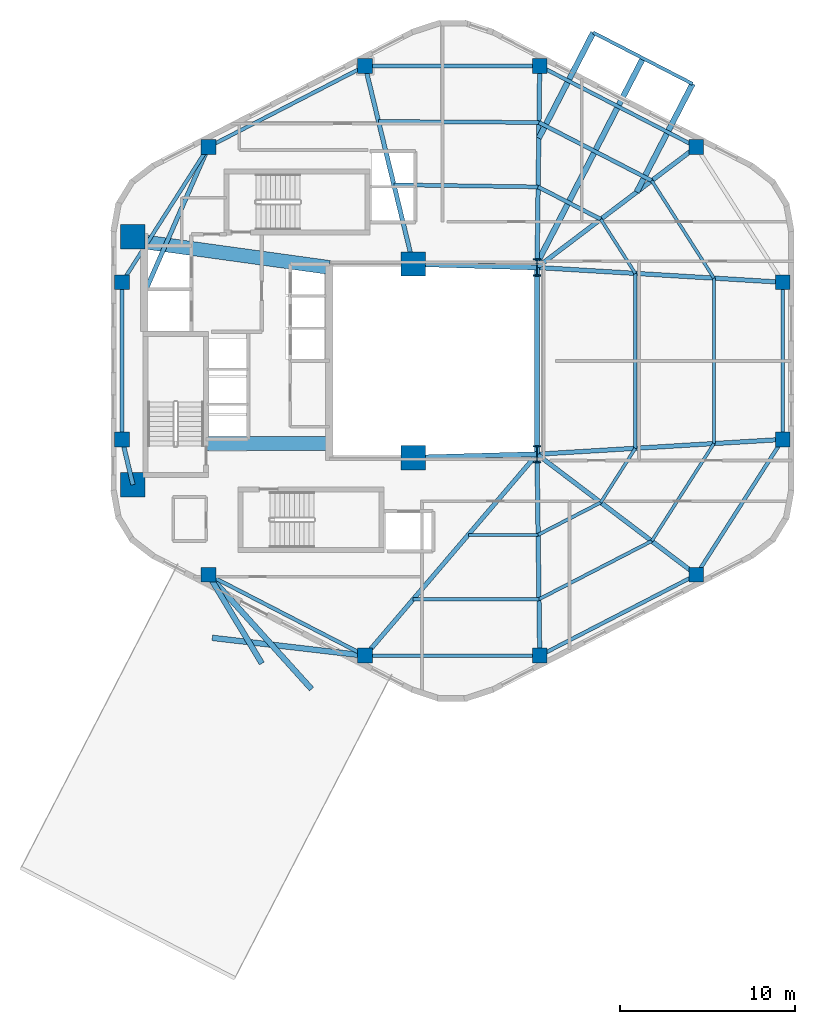
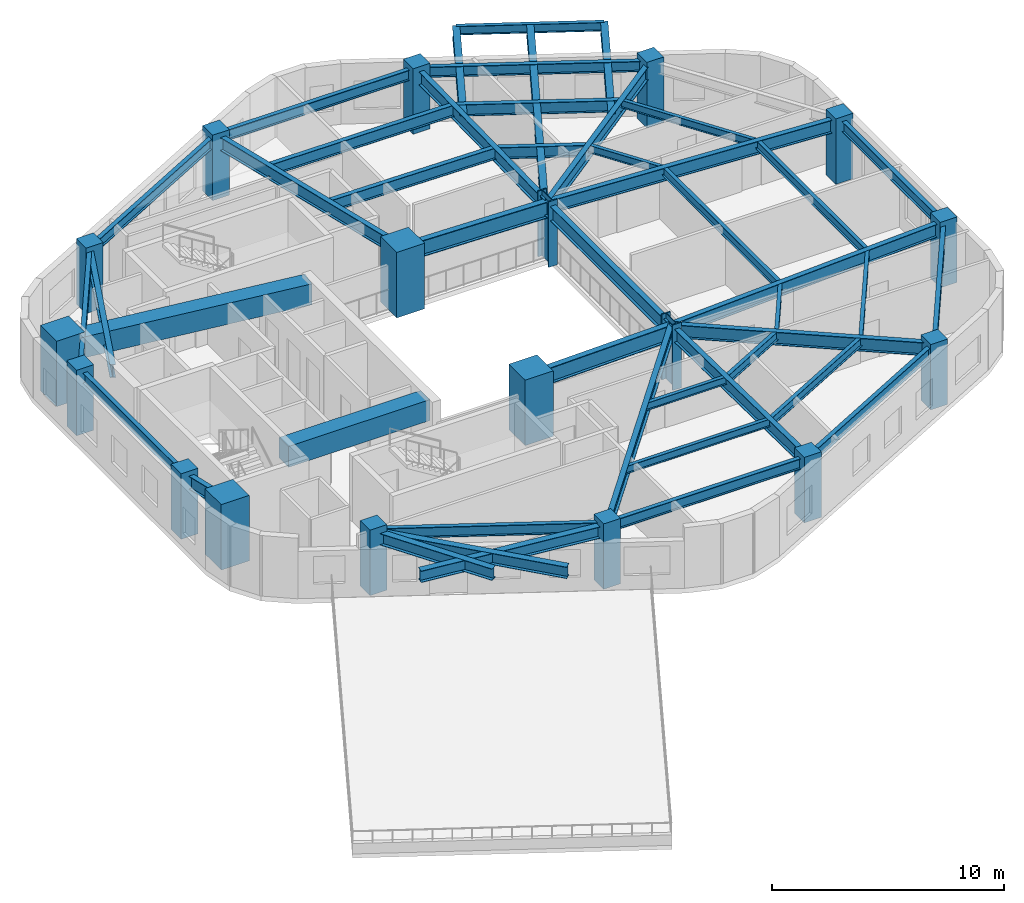
# One storey, part 1 of 7: 46 beams, 18 columns.
"""IFC4 building model written with IfcOpenShell, lengths in metres."""

from ifc_helpers import new_model, si_unit, direction, frame, origin, origin_2d, place, context, subcontext, project, spatial, rectangle, i_section, extrude, material, material_profile, profile_set, type_object, element, save


model = new_model("IFC4")

# Units and contexts
model_context = context("Model", 3, precision=1e-05, world=origin(), true_north=direction((0.0, 1.0)))
body_context = subcontext(model_context, "Body", "Model", "MODEL_VIEW")
ifc_project = project(units=[si_unit("LENGTHUNIT", "METRE"), si_unit("AREAUNIT", "SQUARE_METRE"), si_unit("VOLUMEUNIT", "CUBIC_METRE"), si_unit("PLANEANGLEUNIT", "RADIAN"), si_unit("MASSUNIT", "GRAM", prefix="KILO"), si_unit("THERMODYNAMICTEMPERATUREUNIT", "KELVIN"), si_unit("POWERUNIT", "WATT")], contexts=[model_context])

# Site, building, storey
site_placement = place(None, origin())
site = spatial("IfcSite", under=ifc_project, at=site_placement, CompositionType="ELEMENT")
building_placement = place(site_placement, origin())
building = spatial("IfcBuilding", under=site, at=building_placement, Name="Skarre Station Tower", CompositionType="ELEMENT")
storey_placement = place(building_placement, frame((0.0, 0.0, 184.35009765625)))
storey = spatial("IfcBuildingStorey", under=building, at=storey_placement, Name="L50", CompositionType="ELEMENT", Elevation=184.35009765625)

# Columns
ifc_material_1 = material(Name="Concrete C70/85", Category="concrete")
ifc_material_profile_1 = material_profile(ifc_material_1, rectangle(XDim=1.39990234375, YDim=1.39990234375, at=origin_2d()), Name="Concrete C70/85")
ifc_profile_set_1 = profile_set([ifc_material_profile_1], Name="Concrete C70/85")
column_type_1 = type_object("IfcColumnType", Name="RC Structural Column RC-COL-1400X1400", PredefinedType="COLUMN", material=ifc_profile_set_1)
for number, where, z_axis, x_axis, name in (
    (1, (16.300048828125, 16.89990234375, 0.0), (0.0, 0.0, 1.0), (1.0, 0.0, 0.0), "L50 Core Column CC-SW"),
    (2, (16.300048828125, 31.10009765625, 0.0), (0.0, 0.0, 1.0), (1.0, 0.0, 0.0), "L50 Core Column CC-NW"),
    (3, (32.35009765625, 18.449951171875, 0.0), (0.0, 0.0, 1.0), (1.0, 0.0, 0.0), "L50 Core Column CC-SE"),
    (4, (32.35009765625, 29.550048828125, 0.0), (0.0, 0.0, 1.0), (1.0, 0.0, 0.0), "L50 Core Column CC-NE"),
):
    element("IfcColumn", number, at=place(storey_placement, frame(where, z_axis=z_axis, x_axis=x_axis)), inside=storey, type_object=column_type_1, Name=name, PredefinedType="COLUMN", context=body_context, shape_type="SweptSolid", body=[
        extrude(rectangle(XDim=1.39990234375, YDim=1.39990234375, at=origin_2d()), origin(), (0.0, 0.0, 1.0), 3.449951171875),
    ])
ifc_material_2 = material(Name="Concrete C50/60", Category="concrete")
ifc_material_profile_2 = material_profile(ifc_material_2, rectangle(XDim=0.85009765625, YDim=0.85009765625, at=origin_2d()), Name="Concrete C50/60")
ifc_profile_set_2 = profile_set([ifc_material_profile_2], Name="Concrete C50/60")
column_type_2 = type_object("IfcColumnType", Name="RC Structural Column RC-COL-850X850", PredefinedType="COLUMN", material=ifc_profile_set_2)
for number, where, z_axis, x_axis, name in (
    (5, (48.573974609375, 36.257080078125, 0.0), (0.0, 0.0, 1.0), (1.0, 0.0, 0.0), "L50 Zone 3 Perimeter Column F0C1"),
    (6, (39.60205078125, 40.887939453125, 0.0), (0.0, 0.0, 1.0), (1.0, 0.0, 0.0), "L50 Zone 3 Perimeter Column F0C2"),
    (7, (29.597900390625, 40.887939453125, 0.0), (0.0, 0.0, 1.0), (1.0, 0.0, 0.0), "L50 Zone 3 Perimeter Column F1C1"),
    (8, (20.6259765625, 36.257080078125, 0.0), (0.0, 0.0, 1.0), (1.0, 0.0, 0.0), "L50 Zone 3 Perimeter Column F1C2"),
    (9, (15.677978515625, 28.5009765625, 0.0), (0.0, 0.0, 1.0), (1.0, 0.0, 0.0), "L50 Zone 3 Perimeter Column F2C1"),
    (10, (15.677978515625, 19.4990234375, 0.0), (0.0, 0.0, 1.0), (1.0, 0.0, 0.0), "L50 Zone 3 Perimeter Column F2C2"),
    (11, (20.6259765625, 11.742919921875, 0.0), (0.0, 0.0, 1.0), (1.0, 0.0, 0.0), "L50 Zone 3 Perimeter Column F3C1"),
    (12, (29.597900390625, 7.112060546875, 0.0), (0.0, 0.0, 1.0), (1.0, 0.0, 0.0), "L50 Zone 3 Perimeter Column F3C2"),
    (13, (39.60205078125, 7.112060546875, 0.0), (0.0, 0.0, 1.0), (1.0, 0.0, 0.0), "L50 Zone 3 Perimeter Column F4C1"),
    (14, (48.573974609375, 11.742919921875, 0.0), (0.0, 0.0, 1.0), (1.0, 0.0, 0.0), "L50 Zone 3 Perimeter Column F4C2"),
    (15, (53.52197265625, 19.4990234375, 0.0), (0.0, 0.0, 1.0), (1.0, 0.0, 0.0), "L50 Zone 3 Perimeter Column F5C1"),
    (16, (53.52197265625, 28.5009765625, 0.0), (0.0, 0.0, 1.0), (1.0, 0.0, 0.0), "L50 Zone 3 Perimeter Column F5C2"),
):
    element("IfcColumn", number, at=place(storey_placement, frame(where, z_axis=z_axis, x_axis=x_axis)), inside=storey, type_object=column_type_2, Name=name, PredefinedType="COLUMN", context=body_context, shape_type="SweptSolid", body=[
        extrude(rectangle(XDim=0.85009765625, YDim=0.85009765625, at=origin_2d()), origin(), (0.0, 0.0, 1.0), 3.449951171875),
    ])
ifc_material_3 = material(Name="Steel ASTM A913 Grade 65", Category="steel")
ifc_material_profile_3 = material_profile(ifc_material_3, i_section(OverallWidth=0.430908203125, OverallDepth=0.987060546875, WebThickness=0.033935546875, FlangeThickness=0.06201171875, at=origin_2d()), Name="Steel ASTM A913 Grade 65")
ifc_profile_set_3 = profile_set([ifc_material_profile_3], Name="Steel ASTM A913 Grade 65")
column_type_3 = type_object("IfcColumnType", Name="Steel Column W36X441", PredefinedType="COLUMN", material=ifc_profile_set_3)
for number, where, z_axis, x_axis, name in (
    (17, (39.449951171875, 18.64990234375, 0.0), (0.0, 0.0, 1.0), (1.0, 0.0, 0.0), "L50 Atrium Spine Column AC-SE"),
    (18, (39.449951171875, 29.35009765625, 0.0), (0.0, 0.0, 1.0), (1.0, 0.0, 0.0), "L50 Atrium Spine Column AC-NE"),
):
    element("IfcColumn", number, at=place(storey_placement, frame(where, z_axis=z_axis, x_axis=x_axis)), inside=storey, type_object=column_type_3, Name=name, PredefinedType="COLUMN", context=body_context, shape_type="SweptSolid", body=[
        extrude(i_section(OverallWidth=0.430908203125, OverallDepth=0.987060546875, WebThickness=0.033935546875, FlangeThickness=0.06201171875, at=origin_2d()), origin(), (0.0, 0.0, 1.0), 3.449951171875),
    ])

# Beams
ifc_material_profile_4 = material_profile(ifc_material_1, rectangle(XDim=0.800048828125, YDim=1.10009765625, at=origin_2d()), Name="Concrete C70/85")
ifc_profile_set_4 = profile_set([ifc_material_profile_4], Name="Concrete C70/85")
beam_type_1 = type_object("IfcBeamType", Name="RC Core Coupling Lintel 800x1100", PredefinedType="LINTEL", material=ifc_profile_set_4)
beam_1_placement = place(storey_placement, frame((20.489990234375, 19.260009765625, 2.639892578125), z_axis=(1.0, 0.0, 0.0), x_axis=(0.0, 1.0, 0.0)))
element("IfcBeam", 19, at=beam_1_placement, inside=storey, type_object=beam_type_1, Name="L50 South Core Coupling Lintel", PredefinedType="LINTEL", context=body_context, shape_type="SweptSolid", body=[
    extrude(rectangle(XDim=0.800048828125, YDim=1.10009765625, at=origin_2d()), origin(), (0.0, 0.0, 1.0), 7.06005859375),
])
beam_2_placement = place(storey_placement, frame((17.050048828125, 30.800048828125, 2.639892578125), z_axis=(0.990599723633, -0.136792498109, 0.0), x_axis=(0.136792498109, 0.990599723633, 0.0)))
element("IfcBeam", 20, at=beam_2_placement, inside=storey, type_object=beam_type_1, Name="L50 North Core Coupling Lintel", PredefinedType="LINTEL", context=body_context, shape_type="SweptSolid", body=[
    extrude(rectangle(XDim=0.800048828125, YDim=1.10009765625, at=origin_2d()), origin(), (0.0, 0.0, 1.0), 10.599609375),
])
ifc_material_4 = material(Name="Steel ASTM A992 Grade 50", Category="steel")
ifc_material_profile_5 = material_profile(ifc_material_4, i_section(OverallWidth=0.323974609375, OverallDepth=0.611083984375, WebThickness=0.012939453125, FlangeThickness=0.01904296875, at=origin_2d()), Name="Steel ASTM A992 Grade 50")
ifc_profile_set_5 = profile_set([ifc_material_profile_5], Name="Steel ASTM A992 Grade 50")
beam_type_2 = type_object("IfcBeamType", Name="Steel Beam W24X104", PredefinedType="BEAM", material=ifc_profile_set_5)
beam_3_placement = place(storey_placement, frame((20.6259765625, 11.742919921875, 2.7998046875), z_axis=(0.515954390241, -0.85661605588, 0.0), x_axis=(0.85661605588, 0.515954390241, 0.0)))
element("IfcBeam", 21, at=beam_3_placement, inside=storey, type_object=beam_type_2, Name="L50 TB-L51-F3 Center Outrigger Beam", PredefinedType="BEAM", context=body_context, shape_type="SweptSolid", body=[
    extrude(i_section(OverallWidth=0.323974609375, OverallDepth=0.611083984375, WebThickness=0.012939453125, FlangeThickness=0.01904296875, at=origin_2d()), origin(), (0.0, 0.0, 1.0), 5.928955078125),
])
for number, where, z_axis, x_axis, name in (
    (22, (29.597900390625, 7.112060546875, 2.7998046875), (-0.993282676722, 0.115713111291, 0.0), (-0.115713111291, -0.993282676722, 0.0), "L50 TB-L51-F3 Outrigger Beam 1"),
    (23, (20.6259765625, 11.742919921875, 2.7998046875), (0.669646888614, -0.742679637912, 0.0), (0.742679637912, 0.669646888614, 0.0), "L50 TB-L51-F3 Outrigger Beam 2"),
):
    element("IfcBeam", number, at=place(storey_placement, frame(where, z_axis=z_axis, x_axis=x_axis)), inside=storey, type_object=beam_type_2, Name=name, PredefinedType="BEAM", context=body_context, shape_type="SweptSolid", body=[
        extrude(i_section(OverallWidth=0.323974609375, OverallDepth=0.611083984375, WebThickness=0.012939453125, FlangeThickness=0.01904296875, at=origin_2d()), origin(), (0.0, 0.0, 1.0), 8.815185546875),
    ])
beam_4_placement = place(storey_placement, frame((39.452880859375, 29.592041015625, 2.7998046875), z_axis=(0.458681504424, 0.888600741334, 0.0), x_axis=(-0.888600741334, 0.458681504424, 0.0)))
element("IfcBeam", 24, at=beam_4_placement, inside=storey, type_object=beam_type_2, Name="L50 TB-L51-F0 Center Outrigger Beam", PredefinedType="BEAM", context=body_context, shape_type="SweptSolid", body=[
    extrude(i_section(OverallWidth=0.323974609375, OverallDepth=0.611083984375, WebThickness=0.012939453125, FlangeThickness=0.01904296875, at=origin_2d()), origin(), (0.0, 0.0, 1.0), 13.216064453125),
])
beam_5_placement = place(storey_placement, frame((45.159912109375, 33.673095703125, 2.7998046875), z_axis=(0.45871874065, 0.888581519601, 0.0), x_axis=(-0.888581519601, 0.45871874065, 0.0)))
element("IfcBeam", 25, at=beam_5_placement, inside=storey, type_object=beam_type_2, Name="L50 TB-L51-F0 Outrigger Beam 1", PredefinedType="BEAM", context=body_context, shape_type="SweptSolid", body=[
    extrude(i_section(OverallWidth=0.323974609375, OverallDepth=0.611083984375, WebThickness=0.012939453125, FlangeThickness=0.01904296875, at=origin_2d()), origin(), (0.0, 0.0, 1.0), 6.9716796875),
])
beam_6_placement = place(storey_placement, frame((39.548095703125, 36.7529296875, 2.7998046875), z_axis=(0.458607301184, 0.888639039937, 0.0), x_axis=(-0.888639039937, 0.458607301184, 0.0)))
element("IfcBeam", 26, at=beam_6_placement, inside=storey, type_object=beam_type_2, Name="L50 TB-L51-F0 Outrigger Beam 2", PredefinedType="BEAM", context=body_context, shape_type="SweptSolid", body=[
    extrude(i_section(OverallWidth=0.323974609375, OverallDepth=0.611083984375, WebThickness=0.012939453125, FlangeThickness=0.01904296875, at=origin_2d()), origin(), (0.0, 0.0, 1.0), 6.809326171875),
])
ifc_material_profile_6 = material_profile(ifc_material_4, i_section(OverallWidth=0.256103515625, OverallDepth=0.693115234375, WebThickness=0.013916015625, FlangeThickness=0.02392578125, at=origin_2d()), Name="Steel ASTM A992 Grade 50")
ifc_profile_set_6 = profile_set([ifc_material_profile_6], Name="Steel ASTM A992 Grade 50")
beam_type_3 = type_object("IfcBeamType", Name="Steel Beam W27X114", PredefinedType="BEAM", material=ifc_profile_set_6)
beam_7_placement = place(storey_placement, frame((39.449951171875, 29.35009765625, 2.843994140625), z_axis=(0.797308988117, 0.603571352425, 0.0), x_axis=(-0.603571352425, 0.797308988117, 0.0)))
element("IfcBeam", 27, at=beam_7_placement, inside=storey, type_object=beam_type_3, Name="L50 Radial Floor Girder F0C1", PredefinedType="BEAM", context=body_context, shape_type="SweptSolid", body=[
    extrude(i_section(OverallWidth=0.256103515625, OverallDepth=0.693115234375, WebThickness=0.013916015625, FlangeThickness=0.02392578125, at=origin_2d()), origin(), (0.0, 0.0, 1.0), 11.443603515625),
])
beam_8_placement = place(storey_placement, frame((39.449951171875, 29.35009765625, 2.843994140625), z_axis=(0.013181528887, 0.999913119874, 0.0), x_axis=(-0.999913119874, 0.013181528887, 0.0)))
element("IfcBeam", 28, at=beam_8_placement, inside=storey, type_object=beam_type_3, Name="L50 Radial Floor Girder F0C2", PredefinedType="BEAM", context=body_context, shape_type="SweptSolid", body=[
    extrude(i_section(OverallWidth=0.256103515625, OverallDepth=0.693115234375, WebThickness=0.013916015625, FlangeThickness=0.02392578125, at=origin_2d()), origin(), (0.0, 0.0, 1.0), 11.538818359375),
])
beam_9_placement = place(storey_placement, frame((32.35009765625, 29.550048828125, 2.843994140625), z_axis=(-0.235892880832, 0.971779063765, 0.0), x_axis=(-0.971779063765, -0.235892880832, 0.0)))
element("IfcBeam", 29, at=beam_9_placement, inside=storey, type_object=beam_type_3, Name="L50 Radial Floor Girder F1C1", PredefinedType="BEAM", context=body_context, shape_type="SweptSolid", body=[
    extrude(i_section(OverallWidth=0.256103515625, OverallDepth=0.693115234375, WebThickness=0.013916015625, FlangeThickness=0.02392578125, at=origin_2d()), origin(), (0.0, 0.0, 1.0), 11.667236328125),
])
beam_10_placement = place(storey_placement, frame((17.010009765625, 28.0, 2.843994140625), z_axis=(0.401144174417, 0.916014929644, 0.0), x_axis=(-0.916014929644, 0.401144174417, 0.0)))
element("IfcBeam", 30, at=beam_10_placement, inside=storey, type_object=beam_type_3, Name="L50 Radial Floor Girder F1C2", PredefinedType="BEAM", context=body_context, shape_type="SweptSolid", body=[
    extrude(i_section(OverallWidth=0.256103515625, OverallDepth=0.693115234375, WebThickness=0.013916015625, FlangeThickness=0.02392578125, at=origin_2d()), origin(), (0.0, 0.0, 1.0), 9.01416015625),
])
beam_11_placement = place(storey_placement, frame((16.300048828125, 16.89990234375, 2.843994140625), z_axis=(-0.232764815072, 0.972533053867, 0.0), x_axis=(-0.972533053867, -0.232764815072, 0.0)))
element("IfcBeam", 31, at=beam_11_placement, inside=storey, type_object=beam_type_3, Name="L50 Radial Floor Girder F2C2", PredefinedType="BEAM", context=body_context, shape_type="SweptSolid", body=[
    extrude(i_section(OverallWidth=0.256103515625, OverallDepth=0.693115234375, WebThickness=0.013916015625, FlangeThickness=0.02392578125, at=origin_2d()), origin(), (0.0, 0.0, 1.0), 2.672607421875),
])
beam_12_placement = place(storey_placement, frame((39.449951171875, 18.64990234375, 2.843994140625), z_axis=(-0.649364312169, -0.760477475065, 0.0), x_axis=(0.760477475065, -0.649364312169, 0.0)))
element("IfcBeam", 32, at=beam_12_placement, inside=storey, type_object=beam_type_3, Name="L50 Radial Floor Girder F3C2", PredefinedType="BEAM", context=body_context, shape_type="SweptSolid", body=[
    extrude(i_section(OverallWidth=0.256103515625, OverallDepth=0.693115234375, WebThickness=0.013916015625, FlangeThickness=0.02392578125, at=origin_2d()), origin(), (0.0, 0.0, 1.0), 15.171875),
])
beam_13_placement = place(storey_placement, frame((39.449951171875, 18.64990234375, 2.843994140625), z_axis=(0.013181528887, -0.999913119874, 0.0), x_axis=(0.999913119874, 0.013181528887, 0.0)))
element("IfcBeam", 33, at=beam_13_placement, inside=storey, type_object=beam_type_3, Name="L50 Radial Floor Girder F4C1", PredefinedType="BEAM", context=body_context, shape_type="SweptSolid", body=[
    extrude(i_section(OverallWidth=0.256103515625, OverallDepth=0.693115234375, WebThickness=0.013916015625, FlangeThickness=0.02392578125, at=origin_2d()), origin(), (0.0, 0.0, 1.0), 11.538818359375),
])
beam_14_placement = place(storey_placement, frame((39.449951171875, 18.64990234375, 2.843994140625), z_axis=(0.797308988117, -0.603571352425, 0.0), x_axis=(0.603571352425, 0.797308988117, 0.0)))
element("IfcBeam", 34, at=beam_14_placement, inside=storey, type_object=beam_type_3, Name="L50 Radial Floor Girder F4C2", PredefinedType="BEAM", context=body_context, shape_type="SweptSolid", body=[
    extrude(i_section(OverallWidth=0.256103515625, OverallDepth=0.693115234375, WebThickness=0.013916015625, FlangeThickness=0.02392578125, at=origin_2d()), origin(), (0.0, 0.0, 1.0), 11.443603515625),
])
for number, where, z_axis, x_axis, name in (
    (35, (39.449951171875, 18.64990234375, 2.843994140625), (0.998184432941, 0.060231535207, 0.0), (-0.060231535207, 0.998184432941, 0.0), "L50 Radial Floor Girder F5C1"),
    (36, (39.449951171875, 29.35009765625, 2.843994140625), (0.998184432941, -0.060231535207, 0.0), (0.060231535207, 0.998184432941, 0.0), "L50 Radial Floor Girder F5C2"),
):
    element("IfcBeam", number, at=place(storey_placement, frame(where, z_axis=z_axis, x_axis=x_axis)), inside=storey, type_object=beam_type_3, Name=name, PredefinedType="BEAM", context=body_context, shape_type="SweptSolid", body=[
        extrude(i_section(OverallWidth=0.256103515625, OverallDepth=0.693115234375, WebThickness=0.013916015625, FlangeThickness=0.02392578125, at=origin_2d()), origin(), (0.0, 0.0, 1.0), 14.09765625),
    ])
ifc_material_profile_7 = material_profile(ifc_material_4, i_section(OverallWidth=0.26806640625, OverallDepth=0.77001953125, WebThickness=0.01611328125, FlangeThickness=0.02490234375, at=origin_2d()), Name="Steel ASTM A992 Grade 50")
ifc_profile_set_7 = profile_set([ifc_material_profile_7], Name="Steel ASTM A992 Grade 50")
beam_type_4 = type_object("IfcBeamType", Name="Steel Beam W30X132", PredefinedType="BEAM", material=ifc_profile_set_7)
beam_15_placement = place(storey_placement, frame((39.449951171875, 18.64990234375, 2.804931640625), z_axis=(0.0, 1.0, 0.0), x_axis=(-1.0, 0.0, 0.0)))
element("IfcBeam", 37, at=beam_15_placement, inside=storey, type_object=beam_type_4, Name="L50 Atrium East Edge Girder", PredefinedType="BEAM", context=body_context, shape_type="SweptSolid", body=[
    extrude(i_section(OverallWidth=0.26806640625, OverallDepth=0.77001953125, WebThickness=0.01611328125, FlangeThickness=0.02490234375, at=origin_2d()), origin(), (0.0, 0.0, 1.0), 10.7001953125),
])
ifc_material_profile_8 = material_profile(ifc_material_4, i_section(OverallWidth=0.2919921875, OverallDepth=0.85888671875, WebThickness=0.01708984375, FlangeThickness=0.031005859375, at=origin_2d()), Name="Steel ASTM A992 Grade 50")
ifc_profile_set_8 = profile_set([ifc_material_profile_8], Name="Steel ASTM A992 Grade 50")
beam_type_5 = type_object("IfcBeamType", Name="Steel Beam W33X169", PredefinedType="BEAM", material=ifc_profile_set_8)
for number, where, z_axis, x_axis, name in (
    (38, (32.35009765625, 18.449951171875, 2.760986328125), (0.999603666405, 0.028151556095, 0.0), (-0.028151556095, 0.999603666405, 0.0), "L50 Atrium South Edge Girder"),
    (39, (32.35009765625, 29.550048828125, 2.760986328125), (0.999603666405, -0.028151556095, 0.0), (0.028151556095, 0.999603666405, 0.0), "L50 Atrium North Edge Girder"),
):
    element("IfcBeam", number, at=place(storey_placement, frame(where, z_axis=z_axis, x_axis=x_axis)), inside=storey, type_object=beam_type_5, Name=name, PredefinedType="BEAM", context=body_context, shape_type="SweptSolid", body=[
        extrude(i_section(OverallWidth=0.2919921875, OverallDepth=0.85888671875, WebThickness=0.01708984375, FlangeThickness=0.031005859375, at=origin_2d()), origin(), (0.0, 0.0, 1.0), 7.102783203125),
    ])
ifc_material_profile_9 = material_profile(ifc_material_4, i_section(OverallWidth=0.177978515625, OverallDepth=0.403076171875, WebThickness=0.008056640625, FlangeThickness=0.010986328125, at=origin_2d()), Name="Steel ASTM A992 Grade 50")
ifc_profile_set_9 = profile_set([ifc_material_profile_9], Name="Steel ASTM A992 Grade 50")
beam_type_6 = type_object("IfcBeamType", Name="Steel Joist W16X36", PredefinedType="JOIST", material=ifc_profile_set_9)
beam_16_placement = place(storey_placement, frame((35.509033203125, 14.034912109375, 2.98779296875), z_axis=(1.0, 0.0, 0.0), x_axis=(0.0, 1.0, 0.0)))
element("IfcBeam", 40, at=beam_16_placement, inside=storey, type_object=beam_type_6, Name="L50 Auxiliary Composite Joist 7", PredefinedType="JOIST", context=body_context, shape_type="SweptSolid", body=[
    extrude(i_section(OverallWidth=0.177978515625, OverallDepth=0.403076171875, WebThickness=0.008056640625, FlangeThickness=0.010986328125, at=origin_2d()), origin(), (0.0, 0.0, 1.0), 4.001953125),
])
beam_17_placement = place(storey_placement, frame((32.35693359375, 10.343017578125, 2.98779296875), z_axis=(1.0, 0.0, 0.0), x_axis=(0.0, 1.0, 0.0)))
element("IfcBeam", 41, at=beam_17_placement, inside=storey, type_object=beam_type_6, Name="L50 Auxiliary Composite Joist 8", PredefinedType="JOIST", context=body_context, shape_type="SweptSolid", body=[
    extrude(i_section(OverallWidth=0.177978515625, OverallDepth=0.403076171875, WebThickness=0.008056640625, FlangeThickness=0.010986328125, at=origin_2d()), origin(), (0.0, 0.0, 1.0), 7.2021484375),
])
beam_18_placement = place(storey_placement, frame((43.10009765625, 15.886962890625, 2.98779296875), z_axis=(0.537716516977, 0.843125700812, 0.0), x_axis=(-0.843125700812, 0.537716516977, 0.0)))
element("IfcBeam", 42, at=beam_18_placement, inside=storey, type_object=beam_type_6, Name="L50 Auxiliary Composite Joist 11", PredefinedType="JOIST", context=body_context, shape_type="SweptSolid", body=[
    extrude(i_section(OverallWidth=0.177978515625, OverallDepth=0.403076171875, WebThickness=0.008056640625, FlangeThickness=0.010986328125, at=origin_2d()), origin(), (0.0, 0.0, 1.0), 3.680419921875),
])
beam_19_placement = place(storey_placement, frame((46.01904296875, 13.677001953125, 2.98779296875), z_axis=(0.537900605588, 0.843008267165, 0.0), x_axis=(-0.843008267165, 0.537900605588, 0.0)))
element("IfcBeam", 43, at=beam_19_placement, inside=storey, type_object=beam_type_6, Name="L50 Auxiliary Composite Joist 12", PredefinedType="JOIST", context=body_context, shape_type="SweptSolid", body=[
    extrude(i_section(OverallWidth=0.177978515625, OverallDepth=0.403076171875, WebThickness=0.008056640625, FlangeThickness=0.010986328125, at=origin_2d()), origin(), (0.0, 0.0, 1.0), 6.623779296875),
])
beam_20_placement = place(storey_placement, frame((45.0791015625, 29.010009765625, 2.98779296875), z_axis=(-0.537716516977, 0.843125700812, 0.0), x_axis=(-0.843125700812, -0.537716516977, 0.0)))
element("IfcBeam", 44, at=beam_20_placement, inside=storey, type_object=beam_type_6, Name="L50 Auxiliary Composite Joist 15", PredefinedType="JOIST", context=body_context, shape_type="SweptSolid", body=[
    extrude(i_section(OverallWidth=0.177978515625, OverallDepth=0.403076171875, WebThickness=0.008056640625, FlangeThickness=0.010986328125, at=origin_2d()), origin(), (0.0, 0.0, 1.0), 3.680419921875),
])
beam_21_placement = place(storey_placement, frame((49.58203125, 28.739013671875, 2.98779296875), z_axis=(-0.537900605588, 0.843008267165, 0.0), x_axis=(-0.843008267165, -0.537900605588, 0.0)))
element("IfcBeam", 45, at=beam_21_placement, inside=storey, type_object=beam_type_6, Name="L50 Auxiliary Composite Joist 16", PredefinedType="JOIST", context=body_context, shape_type="SweptSolid", body=[
    extrude(i_section(OverallWidth=0.177978515625, OverallDepth=0.403076171875, WebThickness=0.008056640625, FlangeThickness=0.010986328125, at=origin_2d()), origin(), (0.0, 0.0, 1.0), 6.623779296875),
])
ifc_material_profile_10 = material_profile(ifc_material_4, i_section(OverallWidth=0.19091796875, OverallDepth=0.45703125, WebThickness=0.009033203125, FlangeThickness=0.013916015625, at=origin_2d()), Name="Steel ASTM A992 Grade 50")
ifc_profile_set_10 = profile_set([ifc_material_profile_10], Name="Steel ASTM A992 Grade 50")
beam_type_7 = type_object("IfcBeamType", Name="Steel Joist W18X50", PredefinedType="JOIST", material=ifc_profile_set_10)
beam_22_placement = place(storey_placement, frame((39.510986328125, 14.034912109375, 2.9609375), z_axis=(0.888660390105, 0.458565928803, 0.0), x_axis=(-0.458565928803, 0.888660390105, 0.0)))
element("IfcBeam", 46, at=beam_22_placement, inside=storey, type_object=beam_type_7, Name="L50 Auxiliary Composite Joist 9", PredefinedType="JOIST", context=body_context, shape_type="SweptSolid", body=[
    extrude(i_section(OverallWidth=0.19091796875, OverallDepth=0.45703125, WebThickness=0.009033203125, FlangeThickness=0.013916015625, at=origin_2d()), origin(), (0.0, 0.0, 1.0), 4.038818359375),
])
beam_23_placement = place(storey_placement, frame((39.55908203125, 10.343017578125, 2.9609375), z_axis=(0.88863125356, 0.458622388459, 0.0), x_axis=(-0.458622388459, 0.88863125356, 0.0)))
element("IfcBeam", 47, at=beam_23_placement, inside=storey, type_object=beam_type_7, Name="L50 Auxiliary Composite Joist 10", PredefinedType="JOIST", context=body_context, shape_type="SweptSolid", body=[
    extrude(i_section(OverallWidth=0.19091796875, OverallDepth=0.45703125, WebThickness=0.009033203125, FlangeThickness=0.013916015625, at=origin_2d()), origin(), (0.0, 0.0, 1.0), 7.26953125),
])
beam_24_placement = place(storey_placement, frame((45.0791015625, 18.989990234375, 2.9609375), z_axis=(0.0, 1.0, 0.0), x_axis=(-1.0, 0.0, 0.0)))
element("IfcBeam", 48, at=beam_24_placement, inside=storey, type_object=beam_type_7, Name="L50 Auxiliary Composite Joist 13", PredefinedType="JOIST", context=body_context, shape_type="SweptSolid", body=[
    extrude(i_section(OverallWidth=0.19091796875, OverallDepth=0.45703125, WebThickness=0.009033203125, FlangeThickness=0.013916015625, at=origin_2d()), origin(), (0.0, 0.0, 1.0), 10.02001953125),
])
beam_25_placement = place(storey_placement, frame((49.58203125, 19.260986328125, 2.9609375), z_axis=(0.0, 1.0, 0.0), x_axis=(-1.0, 0.0, 0.0)))
element("IfcBeam", 49, at=beam_25_placement, inside=storey, type_object=beam_type_7, Name="L50 Auxiliary Composite Joist 14", PredefinedType="JOIST", context=body_context, shape_type="SweptSolid", body=[
    extrude(i_section(OverallWidth=0.19091796875, OverallDepth=0.45703125, WebThickness=0.009033203125, FlangeThickness=0.013916015625, at=origin_2d()), origin(), (0.0, 0.0, 1.0), 9.47802734375),
])
beam_26_placement = place(storey_placement, frame((48.35791015625, 39.867919921875, 2.876953125), z_axis=(-0.888569497845, 0.458742027178, 0.0), x_axis=(-0.458742027178, -0.888569497845, 0.0)))
element("IfcBeam", 50, at=beam_26_placement, inside=storey, type_object=beam_type_7, Name="L50 TB-L51-F0 Rim Beam", PredefinedType="JOIST", context=body_context, shape_type="SweptSolid", body=[
    extrude(i_section(OverallWidth=0.19091796875, OverallDepth=0.45703125, WebThickness=0.009033203125, FlangeThickness=0.013916015625, at=origin_2d()), origin(), (0.0, 0.0, 1.0), 6.400146484375),
])
ifc_material_profile_11 = material_profile(ifc_material_4, i_section(OverallWidth=0.22802734375, OverallDepth=0.60791015625, WebThickness=0.010986328125, FlangeThickness=0.01708984375, at=origin_2d()), Name="Steel ASTM A992 Grade 50")
ifc_profile_set_11 = profile_set([ifc_material_profile_11], Name="Steel ASTM A992 Grade 50")
beam_type_8 = type_object("IfcBeamType", Name="Steel Joist W24X76", PredefinedType="JOIST", material=ifc_profile_set_11)
beam_27_placement = place(storey_placement, frame((43.10009765625, 32.113037109375, 2.885986328125), z_axis=(-0.888660390105, 0.458565928803, 0.0), x_axis=(-0.458565928803, -0.888660390105, 0.0)))
element("IfcBeam", 51, at=beam_27_placement, inside=storey, type_object=beam_type_8, Name="L50 Secondary Floor Joist 1", PredefinedType="JOIST", context=body_context, shape_type="SweptSolid", body=[
    extrude(i_section(OverallWidth=0.22802734375, OverallDepth=0.60791015625, WebThickness=0.010986328125, FlangeThickness=0.01708984375, at=origin_2d()), origin(), (0.0, 0.0, 1.0), 4.038818359375),
])
beam_28_placement = place(storey_placement, frame((46.01904296875, 34.322998046875, 2.885986328125), z_axis=(-0.88863125356, 0.458622388459, 0.0), x_axis=(-0.458622388459, -0.88863125356, 0.0)))
element("IfcBeam", 52, at=beam_28_placement, inside=storey, type_object=beam_type_8, Name="L50 Secondary Floor Joist 2", PredefinedType="JOIST", context=body_context, shape_type="SweptSolid", body=[
    extrude(i_section(OverallWidth=0.22802734375, OverallDepth=0.60791015625, WebThickness=0.010986328125, FlangeThickness=0.01708984375, at=origin_2d()), origin(), (0.0, 0.0, 1.0), 7.26953125),
])
beam_29_placement = place(storey_placement, frame((39.510986328125, 33.965087890625, 2.885986328125), z_axis=(-0.999894760676, 0.014507500591, 0.0), x_axis=(-0.014507500591, -0.999894760676, 0.0)))
element("IfcBeam", 53, at=beam_29_placement, inside=storey, type_object=beam_type_8, Name="L50 Secondary Floor Joist 3", PredefinedType="JOIST", context=body_context, shape_type="SweptSolid", body=[
    extrude(i_section(OverallWidth=0.22802734375, OverallDepth=0.60791015625, WebThickness=0.010986328125, FlangeThickness=0.01708984375, at=origin_2d()), origin(), (0.0, 0.0, 1.0), 8.262939453125),
])
beam_30_placement = place(storey_placement, frame((39.55908203125, 37.656982421875, 2.885986328125), z_axis=(-0.99998149622, 0.006083355807, 0.0), x_axis=(-0.006083355807, -0.99998149622, 0.0)))
element("IfcBeam", 54, at=beam_30_placement, inside=storey, type_object=beam_type_8, Name="L50 Secondary Floor Joist 4", PredefinedType="JOIST", context=body_context, shape_type="SweptSolid", body=[
    extrude(i_section(OverallWidth=0.22802734375, OverallDepth=0.60791015625, WebThickness=0.010986328125, FlangeThickness=0.01708984375, at=origin_2d()), origin(), (0.0, 0.0, 1.0), 9.1904296875),
])
ifc_material_profile_12 = material_profile(ifc_material_4, i_section(OverallWidth=0.214111328125, OverallDepth=0.549072265625, WebThickness=0.014892578125, FlangeThickness=0.02392578125, at=origin_2d()), Name="Steel ASTM A992 Grade 50")
ifc_profile_set_12 = profile_set([ifc_material_profile_12], Name="Steel ASTM A992 Grade 50")
beam_type_9 = type_object("IfcBeamType", Name="Steel Spandrel W21X93", PredefinedType="SPANDREL", material=ifc_profile_set_12)
beam_31_placement = place(storey_placement, frame((48.573974609375, 36.257080078125, 2.916015625), z_axis=(-0.888613027226, 0.458657702262, 0.0), x_axis=(-0.458657702262, -0.888613027226, 0.0)))
element("IfcBeam", 55, at=beam_31_placement, inside=storey, type_object=beam_type_9, Name="L50 Facet Spandrel Beam 1", PredefinedType="SPANDREL", context=body_context, shape_type="SweptSolid", body=[
    extrude(i_section(OverallWidth=0.214111328125, OverallDepth=0.549072265625, WebThickness=0.014892578125, FlangeThickness=0.02392578125, at=origin_2d()), origin(), (0.0, 0.0, 1.0), 10.096435546875),
])
beam_32_placement = place(storey_placement, frame((39.60205078125, 40.887939453125, 2.916015625), z_axis=(-1.0, 0.0, 0.0), x_axis=(0.0, -1.0, 0.0)))
element("IfcBeam", 56, at=beam_32_placement, inside=storey, type_object=beam_type_9, Name="L50 Facet Spandrel Beam 2", PredefinedType="SPANDREL", context=body_context, shape_type="SweptSolid", body=[
    extrude(i_section(OverallWidth=0.214111328125, OverallDepth=0.549072265625, WebThickness=0.014892578125, FlangeThickness=0.02392578125, at=origin_2d()), origin(), (0.0, 0.0, 1.0), 10.004150390625),
])
beam_33_placement = place(storey_placement, frame((29.597900390625, 40.887939453125, 2.916015625), z_axis=(-0.888613027226, -0.458657702262, 0.0), x_axis=(0.458657702262, -0.888613027226, 0.0)))
element("IfcBeam", 57, at=beam_33_placement, inside=storey, type_object=beam_type_9, Name="L50 Facet Spandrel Beam 3", PredefinedType="SPANDREL", context=body_context, shape_type="SweptSolid", body=[
    extrude(i_section(OverallWidth=0.214111328125, OverallDepth=0.549072265625, WebThickness=0.014892578125, FlangeThickness=0.02392578125, at=origin_2d()), origin(), (0.0, 0.0, 1.0), 10.096435546875),
])
beam_34_placement = place(storey_placement, frame((20.6259765625, 36.257080078125, 2.916015625), z_axis=(-0.537826426158, -0.843055594445, 0.0), x_axis=(0.843055594445, -0.537826426158, 0.0)))
element("IfcBeam", 58, at=beam_34_placement, inside=storey, type_object=beam_type_9, Name="L50 Facet Spandrel Beam 4", PredefinedType="SPANDREL", context=body_context, shape_type="SweptSolid", body=[
    extrude(i_section(OverallWidth=0.214111328125, OverallDepth=0.549072265625, WebThickness=0.014892578125, FlangeThickness=0.02392578125, at=origin_2d()), origin(), (0.0, 0.0, 1.0), 9.199951171875),
])
beam_35_placement = place(storey_placement, frame((15.677978515625, 28.5009765625, 2.916015625), z_axis=(0.0, -1.0, 0.0), x_axis=(1.0, 0.0, 0.0)))
element("IfcBeam", 59, at=beam_35_placement, inside=storey, type_object=beam_type_9, Name="L50 Facet Spandrel Beam 5", PredefinedType="SPANDREL", context=body_context, shape_type="SweptSolid", body=[
    extrude(i_section(OverallWidth=0.214111328125, OverallDepth=0.549072265625, WebThickness=0.014892578125, FlangeThickness=0.02392578125, at=origin_2d()), origin(), (0.0, 0.0, 1.0), 9.001953125),
])
beam_36_placement = place(storey_placement, frame((20.6259765625, 11.742919921875, 2.916015625), z_axis=(0.888613027226, -0.458657702262, 0.0), x_axis=(0.458657702262, 0.888613027226, 0.0)))
element("IfcBeam", 60, at=beam_36_placement, inside=storey, type_object=beam_type_9, Name="L50 Facet Spandrel Beam 7", PredefinedType="SPANDREL", context=body_context, shape_type="SweptSolid", body=[
    extrude(i_section(OverallWidth=0.214111328125, OverallDepth=0.549072265625, WebThickness=0.014892578125, FlangeThickness=0.02392578125, at=origin_2d()), origin(), (0.0, 0.0, 1.0), 10.096435546875),
])
beam_37_placement = place(storey_placement, frame((29.597900390625, 7.112060546875, 2.916015625), z_axis=(1.0, 0.0, 0.0), x_axis=(0.0, 1.0, 0.0)))
element("IfcBeam", 61, at=beam_37_placement, inside=storey, type_object=beam_type_9, Name="L50 Facet Spandrel Beam 8", PredefinedType="SPANDREL", context=body_context, shape_type="SweptSolid", body=[
    extrude(i_section(OverallWidth=0.214111328125, OverallDepth=0.549072265625, WebThickness=0.014892578125, FlangeThickness=0.02392578125, at=origin_2d()), origin(), (0.0, 0.0, 1.0), 10.004150390625),
])
beam_38_placement = place(storey_placement, frame((39.60205078125, 7.112060546875, 2.916015625), z_axis=(0.888613027226, 0.458657702262, 0.0), x_axis=(-0.458657702262, 0.888613027226, 0.0)))
element("IfcBeam", 62, at=beam_38_placement, inside=storey, type_object=beam_type_9, Name="L50 Facet Spandrel Beam 9", PredefinedType="SPANDREL", context=body_context, shape_type="SweptSolid", body=[
    extrude(i_section(OverallWidth=0.214111328125, OverallDepth=0.549072265625, WebThickness=0.014892578125, FlangeThickness=0.02392578125, at=origin_2d()), origin(), (0.0, 0.0, 1.0), 10.096435546875),
])
beam_39_placement = place(storey_placement, frame((48.573974609375, 11.742919921875, 2.916015625), z_axis=(0.537826426158, 0.843055594445, 0.0), x_axis=(-0.843055594445, 0.537826426158, 0.0)))
element("IfcBeam", 63, at=beam_39_placement, inside=storey, type_object=beam_type_9, Name="L50 Facet Spandrel Beam 10", PredefinedType="SPANDREL", context=body_context, shape_type="SweptSolid", body=[
    extrude(i_section(OverallWidth=0.214111328125, OverallDepth=0.549072265625, WebThickness=0.014892578125, FlangeThickness=0.02392578125, at=origin_2d()), origin(), (0.0, 0.0, 1.0), 9.199951171875),
])
beam_40_placement = place(storey_placement, frame((53.52197265625, 19.4990234375, 2.916015625), z_axis=(0.0, 1.0, 0.0), x_axis=(-1.0, 0.0, 0.0)))
element("IfcBeam", 64, at=beam_40_placement, inside=storey, type_object=beam_type_9, Name="L50 Facet Spandrel Beam 11", PredefinedType="SPANDREL", context=body_context, shape_type="SweptSolid", body=[
    extrude(i_section(OverallWidth=0.214111328125, OverallDepth=0.549072265625, WebThickness=0.014892578125, FlangeThickness=0.02392578125, at=origin_2d()), origin(), (0.0, 0.0, 1.0), 9.001953125),
])

save(model, "model.ifc")
